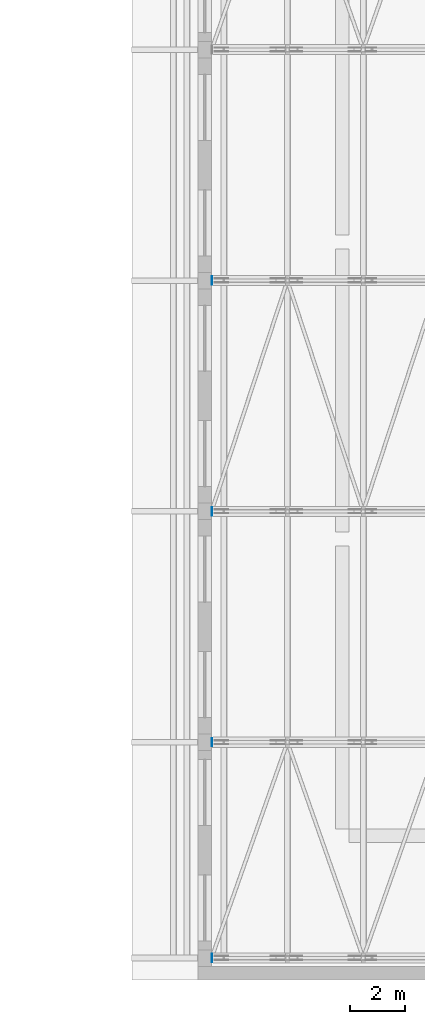
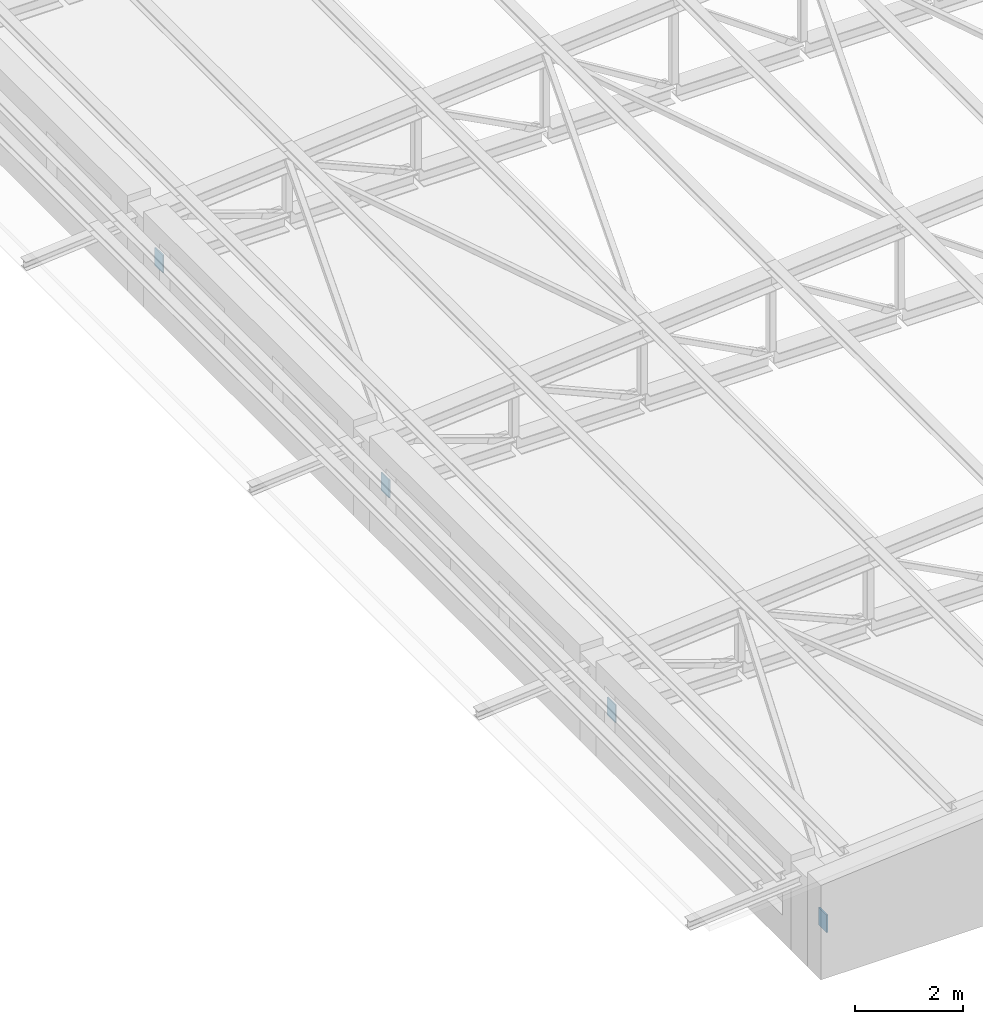
# One storey, part 35 of 60: 4 plates.
"""IFC4 building model written with IfcOpenShell, lengths in metres."""

from ifc_helpers import new_model, si_unit, direction, frame, origin, origin_2d, place, context, subcontext, project, spatial, rectangle, extrude, material, layer, layer_set, type_object, element, save


model = new_model("IFC4")

# Units and contexts
model_context = context("Model", 3, precision=1e-05, world=origin(), true_north=direction((0.0, 1.0)))
body_context = subcontext(model_context, "Body", "Model", "MODEL_VIEW")
ifc_project = project(units=[si_unit("LENGTHUNIT", "METRE"), si_unit("AREAUNIT", "SQUARE_METRE"), si_unit("VOLUMEUNIT", "CUBIC_METRE"), si_unit("PLANEANGLEUNIT", "RADIAN"), si_unit("MASSUNIT", "GRAM", prefix="KILO")], contexts=[model_context])

# Site, building, storey
site_placement = place(None, origin())
site = spatial("IfcSite", under=ifc_project, at=site_placement, CompositionType="ELEMENT")
building_placement = place(site_placement, origin())
building = spatial("IfcBuilding", under=site, at=building_placement, Name="Ljudholm Concert House", CompositionType="ELEMENT")
storey_placement = place(building_placement, frame((0.0, 0.0, 15.0)))
storey = spatial("IfcBuildingStorey", under=building, at=storey_placement, Name="L03", CompositionType="ELEMENT", Elevation=15.0)

# Plates
ifc_material = material(Name="Steel ASTM A36", Category="steel")
ifc_layer = layer(ifc_material, 0.030029296875)
ifc_layer_set = layer_set([ifc_layer], Name="Steel ASTM A36")
plate_type = type_object("IfcPlateType", Name="BEARING PLATE 30x300x400", PredefinedType="SHEET", material=ifc_layer_set)
for number, where, z_axis, x_axis, name in (
    (1, (12.6650390625, 4.550048828125, 0.5), (0.0, 0.0, 1.0), (1.0, 0.0, 0.0), "Truss bearing plate"),
    (2, (12.6650390625, 12.39990234375, 0.5), (0.0, 0.0, 1.0), (1.0, 0.0, 0.0), "Truss bearing plate"),
    (3, (12.6650390625, 20.800048828125, 0.5), (0.0, 0.0, 1.0), (1.0, 0.0, 0.0), "Truss bearing plate"),
    (4, (12.6650390625, 29.199951171875, 0.5), (0.0, 0.0, 1.0), (1.0, 0.0, 0.0), "Truss bearing plate"),
):
    element("IfcPlate", number, at=place(storey_placement, frame(where, z_axis=z_axis, x_axis=x_axis)), inside=storey, type_object=plate_type, Name=name, PredefinedType="SHEET", context=body_context, shape_type="SweptSolid", body=[
        extrude(rectangle(XDim=0.030029296875, YDim=0.300048828125, at=origin_2d()), origin(), (0.0, 0.0, 1.0), 0.39990234375),
    ])

save(model, "model.ifc")
